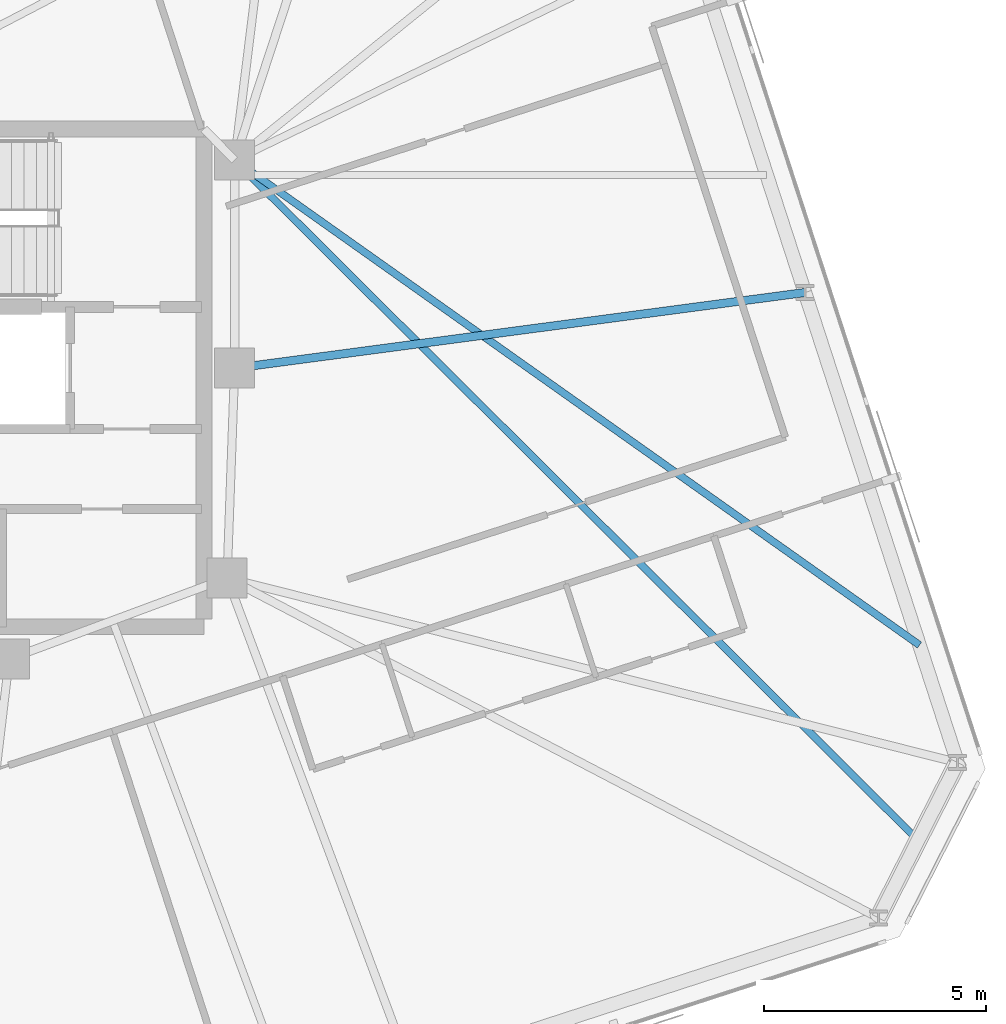
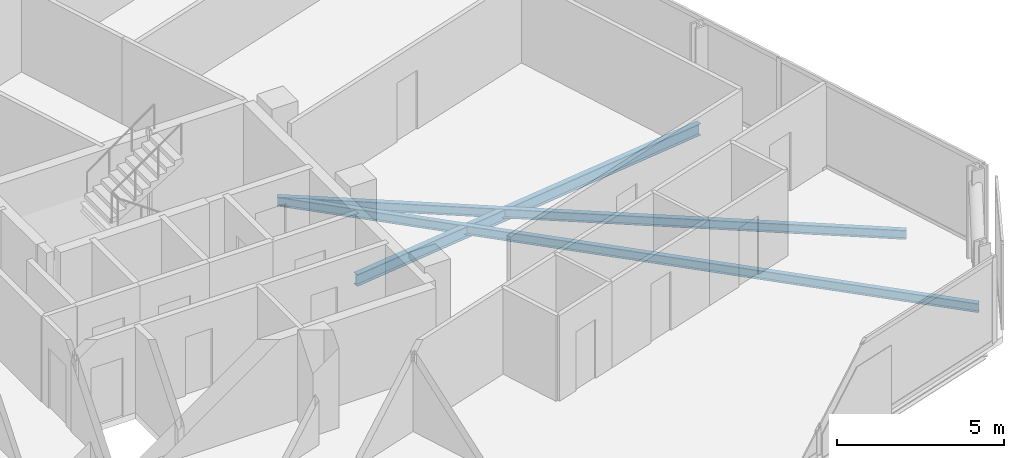
# One storey, part 8 of 20: 3 beams.
"""IFC4 building model written with IfcOpenShell, lengths in metres."""

from ifc_helpers import new_model, si_unit, direction, frame, origin, origin_2d, place, context, subcontext, project, spatial, i_section, extrude, material, material_profile, profile_set, type_object, element, save


model = new_model("IFC4")

# Units and contexts
model_context = context("Model", 3, precision=1e-05, world=origin(), true_north=direction((0.0, 1.0)))
body_context = subcontext(model_context, "Body", "Model", "MODEL_VIEW")
ifc_project = project(units=[si_unit("LENGTHUNIT", "METRE"), si_unit("AREAUNIT", "SQUARE_METRE"), si_unit("VOLUMEUNIT", "CUBIC_METRE"), si_unit("PLANEANGLEUNIT", "RADIAN"), si_unit("MASSUNIT", "GRAM", prefix="KILO")], contexts=[model_context])

# Site, building, storey
site_placement = place(None, origin())
site = spatial("IfcSite", under=ifc_project, at=site_placement, CompositionType="ELEMENT")
building_placement = place(site_placement, origin())
building = spatial("IfcBuilding", under=site, at=building_placement, Name="Menara Jurai Vektor", CompositionType="ELEMENT")
storey_placement = place(building_placement, frame((0.0, 0.0, 217.60009765625)))
storey = spatial("IfcBuildingStorey", under=building, at=storey_placement, Name="L57", CompositionType="ELEMENT", Elevation=217.60009765625)

# Beams
ifc_material = material(Name="Steel S355", Category="steel")
ifc_material_profile_1 = material_profile(ifc_material, i_section(OverallWidth=0.18505859375, OverallDepth=0.429931640625, WebThickness=0.010986328125, FlangeThickness=0.01806640625, at=origin_2d()), Name="PG 430x185x76")
ifc_profile_set_1 = profile_set([ifc_material_profile_1], Name="Steel S355")
beam_type_1 = type_object("IfcBeamType", Name="STR-BM-430", PredefinedType="BEAM", material=ifc_profile_set_1)
beam_1_placement = place(storey_placement, frame((28.07763671875, 1.92236328125, -0.440185546875), z_axis=(-0.99130829243, -0.131559375797, 0.0), x_axis=(0.131559375797, -0.99130829243, 0.0)))
element("IfcBeam", 1, at=beam_1_placement, inside=storey, type_object=beam_type_1, Name="Radial Floor Girder L57-E2", PredefinedType="BEAM", context=body_context, shape_type="SweptSolid", body=[
    extrude(i_section(OverallWidth=0.18505859375, OverallDepth=0.429931640625, WebThickness=0.010986328125, FlangeThickness=0.01806640625, at=origin_2d()), origin(), (0.0, 0.0, 1.0), 12.940185546875),
])
ifc_material_profile_2 = material_profile(ifc_material, i_section(OverallWidth=0.1650390625, OverallDepth=0.330078125, WebThickness=0.009033203125, FlangeThickness=0.013916015625, at=origin_2d()), Name="PG 330x165x46")
ifc_profile_set_2 = profile_set([ifc_material_profile_2], Name="Steel S355")
beam_type_2 = type_object("IfcBeamType", Name="STR-JS-330", PredefinedType="JOIST", material=ifc_profile_set_2)
beam_2_placement = place(storey_placement, frame((30.62353515625, -10.398681640625, -0.39013671875), z_axis=(-0.70883256901, 0.705376771032, 0.0), x_axis=(-0.705376771032, -0.70883256901, 0.0)))
element("IfcBeam", 2, at=beam_2_placement, inside=storey, type_object=beam_type_2, Name="Radial Secondary Floor Joist L57-JS09", PredefinedType="JOIST", context=body_context, shape_type="SweptSolid", body=[
    extrude(i_section(OverallWidth=0.1650390625, OverallDepth=0.330078125, WebThickness=0.009033203125, FlangeThickness=0.013916015625, at=origin_2d()), origin(), (0.0, 0.0, 1.0), 21.6884765625),
])
beam_3_placement = place(storey_placement, frame((30.654296875, -6.00830078125, -0.39013671875), z_axis=(-0.816103783972, 0.577905367501, 0.0), x_axis=(-0.577905367501, -0.816103783972, 0.0)))
element("IfcBeam", 3, at=beam_3_placement, inside=storey, type_object=beam_type_2, Name="Radial Secondary Floor Joist L57-JS10", PredefinedType="JOIST", context=body_context, shape_type="SweptSolid", body=[
    extrude(i_section(OverallWidth=0.1650390625, OverallDepth=0.330078125, WebThickness=0.009033203125, FlangeThickness=0.013916015625, at=origin_2d()), origin(), (0.0, 0.0, 1.0), 18.87548828125),
])

save(model, "model.ifc")
